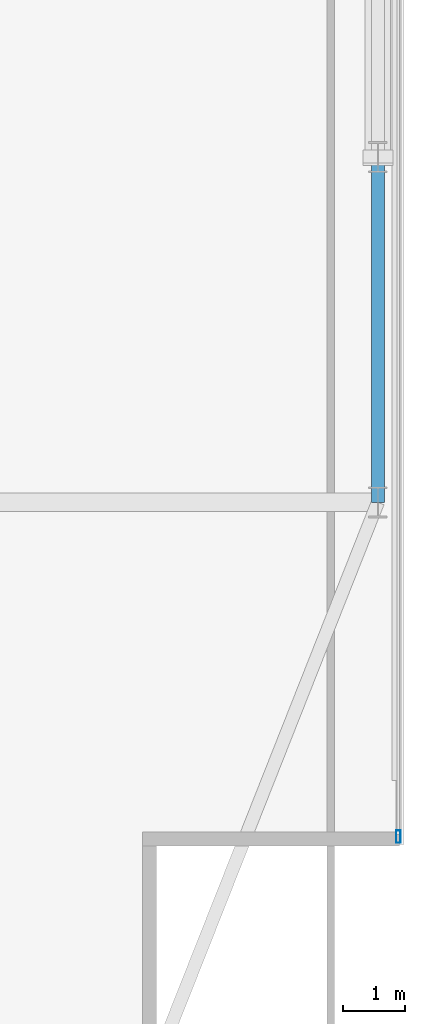
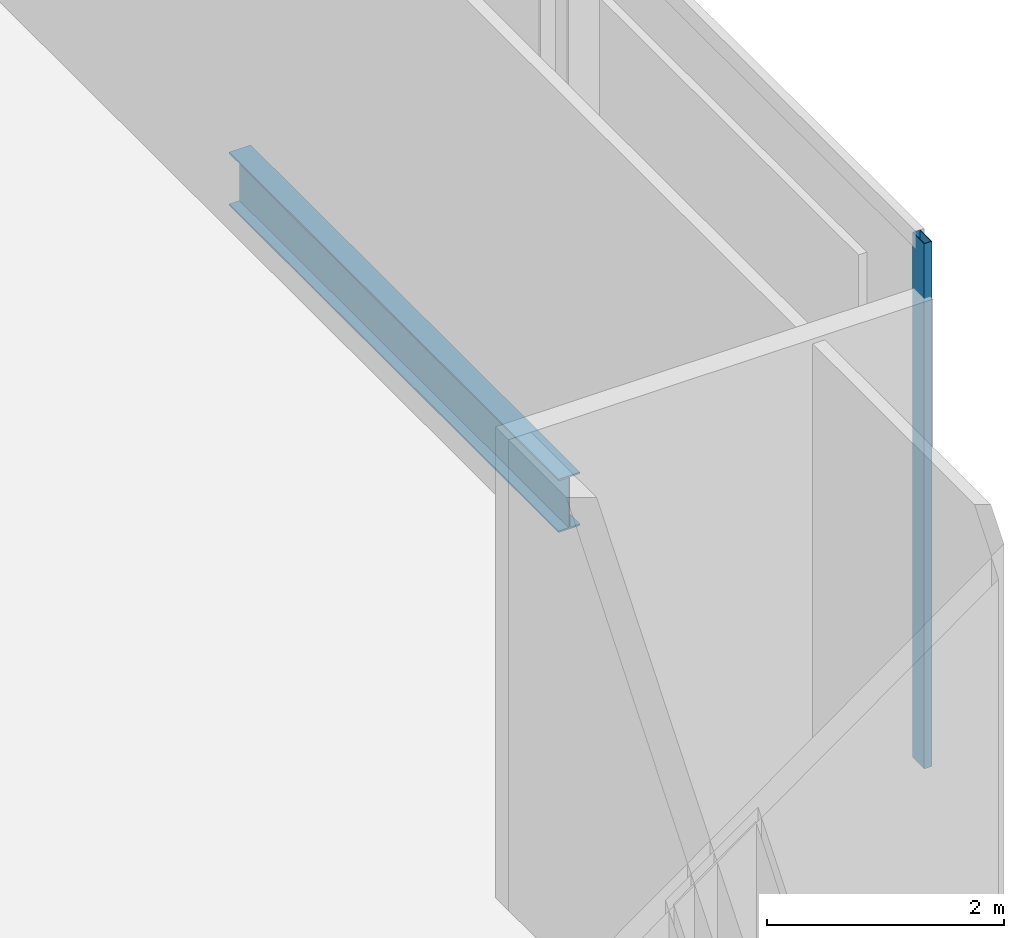
# One storey, part 12 of 22: 1 beam, 1 member, 1 element without a shape of its own.
"""IFC4 building model written with IfcOpenShell, lengths in metres."""

from ifc_helpers import new_model, si_unit, direction, frame, origin, origin_2d, place, context, subcontext, project, spatial, hollow_rectangle, i_section, extrude, material, material_profile, profile_set, type_object, element, aggregate, save


model = new_model("IFC4")

# Units and contexts
model_context = context("Model", 3, precision=1e-05, world=origin(), true_north=direction((0.0, 1.0)))
body_context = subcontext(model_context, "Body", "Model", "MODEL_VIEW")
ifc_project = project(units=[si_unit("LENGTHUNIT", "METRE"), si_unit("AREAUNIT", "SQUARE_METRE"), si_unit("VOLUMEUNIT", "CUBIC_METRE"), si_unit("PLANEANGLEUNIT", "RADIAN"), si_unit("MASSUNIT", "GRAM", prefix="KILO")], contexts=[model_context])

# Site, building, storey
site_placement = place(None, origin())
site = spatial("IfcSite", under=ifc_project, at=site_placement, CompositionType="ELEMENT")
building_placement = place(site_placement, origin())
building = spatial("IfcBuilding", under=site, at=building_placement, Name="Khoronbel Lancet Exchange", CompositionType="ELEMENT")
storey_placement = place(building_placement, frame((0.0, 0.0, 361.800048828125)))
storey = spatial("IfcBuildingStorey", under=building, at=storey_placement, Name="L93", CompositionType="ELEMENT", Elevation=361.800048828125)

# Beam
ifc_material_1 = material(Name="Steel S355", Category="steel")
ifc_material_profile_1 = material_profile(ifc_material_1, i_section(OverallWidth=0.2099609375, OverallDepth=0.550048828125, WebThickness=0.010986328125, FlangeThickness=0.01708984375, at=origin_2d()), Name="IPE 550")
ifc_profile_set_1 = profile_set([ifc_material_profile_1], Name="Steel S355")
beam_type = type_object("IfcBeamType", Name="BM-BSP3", PredefinedType="SPANDREL", material=ifc_profile_set_1)
beam_placement = place(storey_placement, frame((61.6298828125, 19.199951171875, -0.47509765625), z_axis=(0.0, 1.0, 0.0), x_axis=(-1.0, 0.0, 0.0)))
element("IfcBeam", 1, at=beam_placement, inside=storey, type_object=beam_type, Name="Level L93 perimeter spandrel beam SP09", PredefinedType="SPANDREL", context=body_context, shape_type="SweptSolid", body=[
    extrude(i_section(OverallWidth=0.2099609375, OverallDepth=0.550048828125, WebThickness=0.010986328125, FlangeThickness=0.01708984375, at=origin_2d()), origin(), (0.0, 0.0, 1.0), 5.550048828125),
])

# Curtain wall, member
ifc_material_2 = material(Name="Low-E Solar Control Insulating Glass", Category="glass")
curtain_wall_type = type_object("IfcCurtainWallType", Name="CW-6", PredefinedType="NOTDEFINED", material=ifc_material_2)
curtain_wall_placement = place(storey_placement, origin())
curtain_wall = element("IfcCurtainWall", 2, at=curtain_wall_placement, inside=storey, type_object=curtain_wall_type, Name="Unitised curtain wall CW-L93-E09", PredefinedType="NOTDEFINED")
ifc_material_3 = material(Name="Bronze-Anodised Aluminium 6063-T6", Category="aluminium")
ifc_material_profile_2 = material_profile(ifc_material_3, hollow_rectangle(XDim=0.074951171875, YDim=0.199951171875, WallThickness=0.0048828125, at=origin_2d()), Name="ALU MULLION 75x200")
ifc_profile_set_2 = profile_set([ifc_material_profile_2], Name="Bronze-Anodised Aluminium 6063-T6")
member_type = type_object("IfcMemberType", Name="MEM-CWM2", PredefinedType="MULLION", material=ifc_profile_set_2)
member_placement = place(storey_placement, frame((61.9599609375, 13.827392578125, 0.0), z_axis=(0.0, 0.0, 1.0), x_axis=(1.0, 0.0, 0.0)))
member = element("IfcMember", 3, at=member_placement, type_object=member_type, Name="CW6 mullion 3", PredefinedType="MULLION", context=body_context, shape_type="SweptSolid", body=[
    extrude(hollow_rectangle(XDim=0.074951171875, YDim=0.199951171875, WallThickness=0.0048828125, at=origin_2d()), origin(), (0.0, 0.0, 1.0), 5.39990234375),
])
aggregate(curtain_wall, [member])

save(model, "model.ifc")
